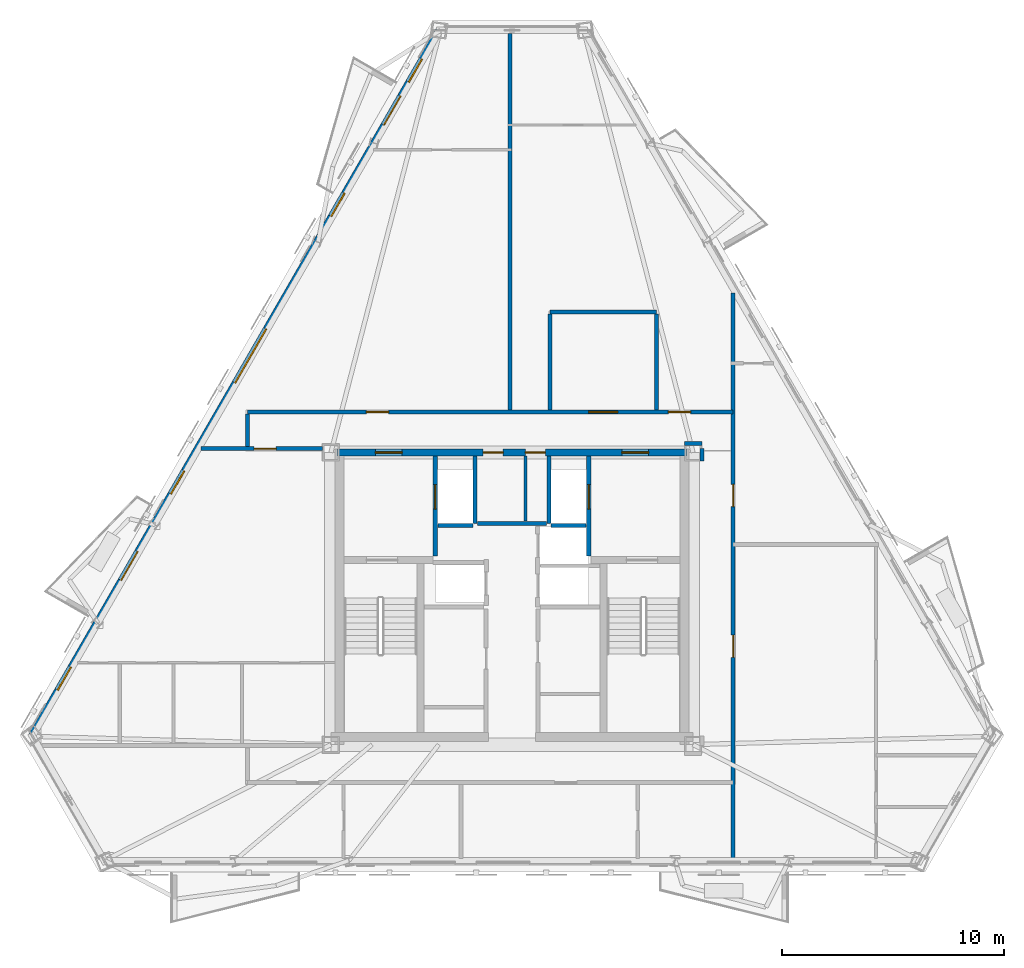
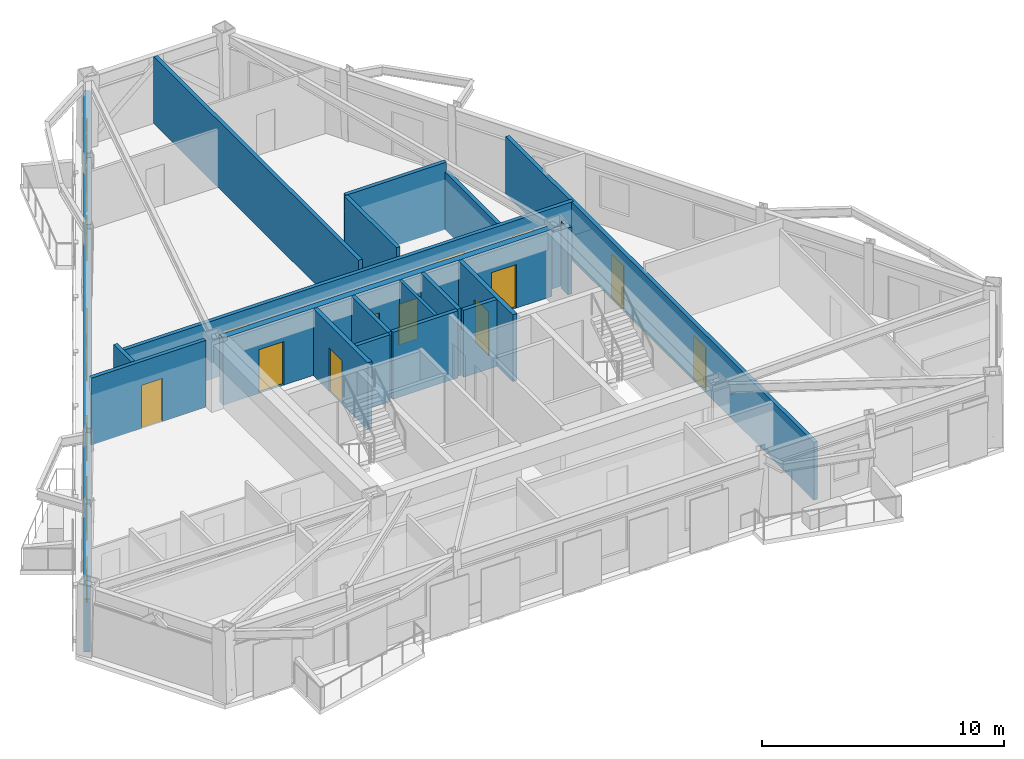
# One storey, part 4 of 9: 20 walls, 14 doors, 5 windows, 19 openings.
"""IFC4 building model written with IfcOpenShell, lengths in metres."""

from ifc_helpers import new_model, si_unit, direction, frame, frame_2d, origin, place, context, subcontext, project, spatial, rectangle, extrude, material, layer, layer_set, type_object, element, fill, save


model = new_model("IFC4")

# Units and contexts
model_context = context("Model", 3, precision=1e-05, world=origin(), true_north=direction((0.0, 1.0)))
body_context = subcontext(model_context, "Body", "Model", "MODEL_VIEW")
ifc_project = project(units=[si_unit("LENGTHUNIT", "METRE"), si_unit("AREAUNIT", "SQUARE_METRE"), si_unit("VOLUMEUNIT", "CUBIC_METRE"), si_unit("PLANEANGLEUNIT", "RADIAN"), si_unit("MASSUNIT", "GRAM", prefix="KILO")], contexts=[model_context])

# Site, building, storey
site_placement = place(None, origin())
site = spatial("IfcSite", under=ifc_project, at=site_placement, CompositionType="ELEMENT")
building_placement = place(site_placement, origin())
building = spatial("IfcBuilding", under=site, at=building_placement, Name="Oramaril Tower", CompositionType="ELEMENT")
storey_placement = place(building_placement, frame((0.0, 0.0, 219.89990234375)))
storey = spatial("IfcBuildingStorey", under=building, at=storey_placement, Name="L58", CompositionType="ELEMENT", Elevation=219.89990234375)

# Wall, openings, doors, windows
ifc_material_1 = material(Name="Warm Cream Limestone", Category="masonry")
ifc_layer_1 = layer(ifc_material_1, 0.2900390625)
ifc_layer_set_1 = layer_set([ifc_layer_1], Name="WT-EXT29")
wall_type_1 = type_object("IfcWallType", Name="WT-EXT29", PredefinedType="SOLIDWALL", material=ifc_layer_set_1)
wall_1_placement = place(storey_placement, frame((34.203369140625, 43.15380859375, 0.0), z_axis=(0.0, 0.0, 1.0), x_axis=(-0.499994551211, -0.866028549621, 0.0)))
wall_1 = element("IfcWall", 1, at=wall_1_placement, inside=storey, type_object=wall_type_1, Name="L58 Tower Limestone Facade Wall 6M", PredefinedType="SOLIDWALL", context=body_context, shape_type="SweptSolid", body=[
    extrude(rectangle(XDim=36.6337890625, YDim=0.2900390625, at=frame_2d((18.31689453125, 0.0))), origin(), (0.0, 0.0, 1.0), 2.677001953125),
])
opening_1_placement = place(wall_1_placement, frame((3.429443359375, 0.0, 0.0)))
opening_1 = element("IfcOpeningElement", 2, at=opening_1_placement, cuts=wall_1, Name="Opening D-L58-BAL-NW1", PredefinedType="OPENING", context=body_context, shape_type="SweptSolid", body=[
    extrude(rectangle(XDim=1.5, YDim=2.199951171875, at=frame_2d((0.75, 1.10009765625))), frame((0.0, 0.14501953125, 0.0), z_axis=(0.0, -1.0, 0.0), x_axis=(1.0, 0.0, 0.0)), (0.0, 0.0, 1.0), 0.2900390625),
])
opening_2_placement = place(wall_1_placement, frame((27.09912109375, 0.0, 0.0)))
opening_2 = element("IfcOpeningElement", 3, at=opening_2_placement, cuts=wall_1, Name="Opening D-L58-BAL-NW2", PredefinedType="OPENING", context=body_context, shape_type="SweptSolid", body=[
    extrude(rectangle(XDim=1.5, YDim=2.199951171875, at=frame_2d((0.75, 1.10009765625))), frame((0.0, 0.14501953125, 0.0), z_axis=(0.0, -1.0, 0.0), x_axis=(1.0, 0.0, 0.0)), (0.0, 0.0, 1.0), 0.2900390625),
])
opening_3_placement = place(wall_1_placement, frame((22.903564453125, 0.0, 0.85009765625)))
opening_3 = element("IfcOpeningElement", 4, at=opening_3_placement, cuts=wall_1, Name="Opening WN-09", PredefinedType="OPENING", context=body_context, shape_type="SweptSolid", body=[
    extrude(rectangle(XDim=1.199951171875, YDim=1.47998046875, at=frame_2d((0.60009765625, 0.739990234375))), frame((0.0, 0.14501953125, 0.0), z_axis=(0.0, -1.0, 0.0), x_axis=(1.0, 0.0, 0.0)), (0.0, 0.0, 1.0), 0.2900390625),
])
opening_4_placement = place(wall_1_placement, frame((33.102294921875, 0.0, 0.85009765625)))
opening_4 = element("IfcOpeningElement", 5, at=opening_4_placement, cuts=wall_1, Name="Opening WN-09", PredefinedType="OPENING", context=body_context, shape_type="SweptSolid", body=[
    extrude(rectangle(XDim=1.199951171875, YDim=1.47998046875, at=frame_2d((0.60009765625, 0.739990234375))), frame((0.0, 0.14501953125, 0.0), z_axis=(0.0, -1.0, 0.0), x_axis=(1.0, 0.0, 0.0)), (0.0, 0.0, 1.0), 0.2900390625),
])
opening_5_placement = place(wall_1_placement, frame((8.474609375, 0.0, 0.85009765625)))
opening_5 = element("IfcOpeningElement", 6, at=opening_5_placement, cuts=wall_1, Name="Opening WN-09", PredefinedType="OPENING", context=body_context, shape_type="SweptSolid", body=[
    extrude(rectangle(XDim=1.199951171875, YDim=1.47998046875, at=frame_2d((0.60009765625, 0.739990234375))), frame((0.0, 0.14501953125, 0.0), z_axis=(0.0, -1.0, 0.0), x_axis=(1.0, 0.0, 0.0)), (0.0, 0.0, 1.0), 0.2900390625),
])
opening_6_placement = place(wall_1_placement, frame((15.529052734375, 0.0, 0.85009765625)))
opening_6 = element("IfcOpeningElement", 7, at=opening_6_placement, cuts=wall_1, Name="Opening WN-01", PredefinedType="OPENING", context=body_context, shape_type="SweptSolid", body=[
    extrude(rectangle(XDim=2.800048828125, YDim=1.717041015625, at=frame_2d((1.39990234375, 0.8583984375))), frame((0.0, 0.14501953125, 0.0), z_axis=(0.0, -1.0, 0.0), x_axis=(1.0, 0.0, 0.0)), (0.0, 0.0, 1.0), 0.2900390625),
])
opening_7_placement = place(wall_1_placement, frame((1.5, 0.0, 0.85009765625)))
opening_7 = element("IfcOpeningElement", 8, at=opening_7_placement, cuts=wall_1, Name="Opening WN-09", PredefinedType="OPENING", context=body_context, shape_type="SweptSolid", body=[
    extrude(rectangle(XDim=1.199951171875, YDim=1.47998046875, at=frame_2d((0.60009765625, 0.739990234375))), frame((0.0, 0.14501953125, 0.0), z_axis=(0.0, -1.0, 0.0), x_axis=(1.0, 0.0, 0.0)), (0.0, 0.0, 1.0), 0.2900390625),
])
ifc_material_2 = material(Name="Anodised Aluminium 6063-T6", Category="aluminium")
door_type_1 = type_object("IfcDoorType", Name="DT-BAL", OperationType="NOTDEFINED", PredefinedType="DOOR", material=ifc_material_2)
door_1_placement = place(opening_1_placement, origin())
door_1 = element("IfcDoor", 9, at=door_1_placement, inside=storey, type_object=door_type_1, Name="L58 Balcony Glazed Door L58-BAL-NW1", OperationType="SINGLE_SWING_LEFT", OverallHeight=2.199951171875, OverallWidth=1.5, PredefinedType="DOOR", context=body_context, shape_type="SweptSolid", body=[
    extrude(rectangle(XDim=1.5, YDim=2.199951171875, at=frame_2d((0.75, 1.10009765625))), frame((0.0, 0.02490234375, 0.0), z_axis=(0.0, -1.0, 0.0), x_axis=(1.0, 0.0, 0.0)), (0.0, 0.0, 1.0), 0.050048828125),
])
fill(opening_1, door_1)
door_2_placement = place(opening_2_placement, origin())
door_2 = element("IfcDoor", 10, at=door_2_placement, inside=storey, type_object=door_type_1, Name="L58 Balcony Glazed Door L58-BAL-NW2", OperationType="SINGLE_SWING_RIGHT", OverallHeight=2.199951171875, OverallWidth=1.5, PredefinedType="DOOR", context=body_context, shape_type="SweptSolid", body=[
    extrude(rectangle(XDim=1.5, YDim=2.199951171875, at=frame_2d((0.75, 1.10009765625))), frame((0.0, 0.02490234375, 0.0), z_axis=(0.0, -1.0, 0.0), x_axis=(1.0, 0.0, 0.0)), (0.0, 0.0, 1.0), 0.050048828125),
])
fill(opening_2, door_2)
ifc_material_3 = material(Name="Coastal Low-E Insulated Glass", Category="glass")
window_type_1 = type_object("IfcWindowType", Name="WNT-01", PartitioningType="SINGLE_PANEL", PredefinedType="WINDOW", material=ifc_material_3)
window_1_placement = place(opening_6_placement, origin())
window_1 = element("IfcWindow", 11, at=window_1_placement, inside=storey, type_object=window_type_1, Name="L58 Chicago Bay Window WN-01", OverallHeight=1.717041015625, OverallWidth=2.800048828125, PartitioningType="SINGLE_PANEL", PredefinedType="WINDOW", context=body_context, shape_type="SweptSolid", body=[
    extrude(rectangle(XDim=2.800048828125, YDim=1.717041015625, at=frame_2d((1.39990234375, 0.8583984375))), frame((0.0, 0.030029296875, 0.0), z_axis=(0.0, -1.0, 0.0), x_axis=(1.0, 0.0, 0.0)), (0.0, 0.0, 1.0), 0.06005859375),
])
fill(opening_6, window_1)
ifc_material_4 = material(Name="Coastal Low-E Insulated Glass", Category="glass")
window_type_2 = type_object("IfcWindowType", Name="WNT-09", PartitioningType="SINGLE_PANEL", PredefinedType="WINDOW", material=ifc_material_4)
window_2_placement = place(opening_3_placement, origin())
window_2 = element("IfcWindow", 12, at=window_2_placement, inside=storey, type_object=window_type_2, Name="L58 Chicago Bay Window WN-09", OverallHeight=1.47998046875, OverallWidth=1.199951171875, PartitioningType="SINGLE_PANEL", PredefinedType="WINDOW", context=body_context, shape_type="SweptSolid", body=[
    extrude(rectangle(XDim=1.199951171875, YDim=1.47998046875, at=frame_2d((0.60009765625, 0.739990234375))), frame((0.0, 0.030029296875, 0.0), z_axis=(0.0, -1.0, 0.0), x_axis=(1.0, 0.0, 0.0)), (0.0, 0.0, 1.0), 0.06005859375),
])
fill(opening_3, window_2)
window_3_placement = place(opening_4_placement, origin())
window_3 = element("IfcWindow", 13, at=window_3_placement, inside=storey, type_object=window_type_2, Name="L58 Chicago Bay Window WN-09", OverallHeight=1.47998046875, OverallWidth=1.199951171875, PartitioningType="SINGLE_PANEL", PredefinedType="WINDOW", context=body_context, shape_type="SweptSolid", body=[
    extrude(rectangle(XDim=1.199951171875, YDim=1.47998046875, at=frame_2d((0.60009765625, 0.739990234375))), frame((0.0, 0.030029296875, 0.0), z_axis=(0.0, -1.0, 0.0), x_axis=(1.0, 0.0, 0.0)), (0.0, 0.0, 1.0), 0.06005859375),
])
fill(opening_4, window_3)
window_4_placement = place(opening_5_placement, origin())
window_4 = element("IfcWindow", 14, at=window_4_placement, inside=storey, type_object=window_type_2, Name="L58 Chicago Bay Window WN-09", OverallHeight=1.47998046875, OverallWidth=1.199951171875, PartitioningType="SINGLE_PANEL", PredefinedType="WINDOW", context=body_context, shape_type="SweptSolid", body=[
    extrude(rectangle(XDim=1.199951171875, YDim=1.47998046875, at=frame_2d((0.60009765625, 0.739990234375))), frame((0.0, 0.030029296875, 0.0), z_axis=(0.0, -1.0, 0.0), x_axis=(1.0, 0.0, 0.0)), (0.0, 0.0, 1.0), 0.06005859375),
])
fill(opening_5, window_4)
window_5_placement = place(opening_7_placement, origin())
window_5 = element("IfcWindow", 15, at=window_5_placement, inside=storey, type_object=window_type_2, Name="L58 Chicago Bay Window WN-09", OverallHeight=1.47998046875, OverallWidth=1.199951171875, PartitioningType="SINGLE_PANEL", PredefinedType="WINDOW", context=body_context, shape_type="SweptSolid", body=[
    extrude(rectangle(XDim=1.199951171875, YDim=1.47998046875, at=frame_2d((0.60009765625, 0.739990234375))), frame((0.0, 0.030029296875, 0.0), z_axis=(0.0, -1.0, 0.0), x_axis=(1.0, 0.0, 0.0)), (0.0, 0.0, 1.0), 0.06005859375),
])
fill(opening_7, window_5)

# Walls
ifc_material_5 = material(Name="Acoustic Gypsum Board Partition")
ifc_layer_2 = layer(ifc_material_5, 0.139892578125)
ifc_layer_set_2 = layer_set([ifc_layer_2], Name="WT-PT14")
wall_type_2 = type_object("IfcWallType", Name="WT-PT14", PredefinedType="PARTITIONING", material=ifc_layer_set_2)
wall_2_placement = place(storey_placement, frame((38.110107421875, 21.06005859375, 0.0), z_axis=(0.0, 0.0, 1.0), x_axis=(0.0, 1.0, 0.0)))
element("IfcWall", 16, at=wall_2_placement, inside=storey, type_object=wall_type_2, Name="L58 Core Service Divider", PredefinedType="PARTITIONING", context=body_context, shape_type="SweptSolid", body=[
    extrude(rectangle(XDim=2.919921875, YDim=0.139892578125, at=frame_2d((1.4599609375, 0.0))), origin(), (0.0, 0.0, 1.0), 3.380126953125),
])
ifc_material_6 = material(Name="Autoclaved Cellular Concrete Block", Category="concrete")
ifc_layer_3 = layer(ifc_material_6, 0.179931640625)
ifc_layer_set_3 = layer_set([ifc_layer_3], Name="WT-PT18")
wall_type_3 = type_object("IfcWallType", Name="WT-PT18", PredefinedType="PARTITIONING", material=ifc_layer_set_3)
wall_3_placement = place(storey_placement, frame((35.840087890625, 20.9599609375, 0.0), z_axis=(0.0, 0.0, 1.0), x_axis=(0.0, 1.0, 0.0)))
element("IfcWall", 17, at=wall_3_placement, inside=storey, type_object=wall_type_3, Name="L58 FL-1 East Shaft Wall", PredefinedType="PARTITIONING", context=body_context, shape_type="SweptSolid", body=[
    extrude(rectangle(XDim=3.02001953125, YDim=0.179931640625, at=frame_2d((1.510009765625, 0.0))), origin(), (0.0, 0.0, 1.0), 3.380126953125),
])
wall_4_placement = place(storey_placement, frame((34.159912109375, 20.860107421875, 0.0), z_axis=(0.0, 0.0, 1.0), x_axis=(1.0, 0.0, 0.0)))
element("IfcWall", 18, at=wall_4_placement, inside=storey, type_object=wall_type_3, Name="L58 FL-1 South Shaft Wall", PredefinedType="PARTITIONING", context=body_context, shape_type="SweptSolid", body=[
    extrude(rectangle(XDim=1.580078125, YDim=0.179931640625, at=frame_2d((0.7900390625, 0.0))), origin(), (0.0, 0.0, 1.0), 3.380126953125),
])
wall_5_placement = place(storey_placement, frame((39.159912109375, 20.9599609375, 0.0), z_axis=(0.0, 0.0, 1.0), x_axis=(0.0, 1.0, 0.0)))
element("IfcWall", 19, at=wall_5_placement, inside=storey, type_object=wall_type_3, Name="L58 FL-2 West Shaft Wall", PredefinedType="PARTITIONING", context=body_context, shape_type="SweptSolid", body=[
    extrude(rectangle(XDim=3.02001953125, YDim=0.179931640625, at=frame_2d((1.510009765625, 0.0))), origin(), (0.0, 0.0, 1.0), 3.380126953125),
])
wall_6_placement = place(storey_placement, frame((39.260009765625, 20.860107421875, 0.0), z_axis=(0.0, 0.0, 1.0), x_axis=(1.0, 0.0, 0.0)))
element("IfcWall", 20, at=wall_6_placement, inside=storey, type_object=wall_type_3, Name="L58 FL-2 South Shaft Wall", PredefinedType="PARTITIONING", context=body_context, shape_type="SweptSolid", body=[
    extrude(rectangle(XDim=1.580078125, YDim=0.179931640625, at=frame_2d((0.7900390625, 0.0))), origin(), (0.0, 0.0, 1.0), 3.380126953125),
])
wall_7_placement = place(storey_placement, frame((35.949951171875, 20.949951171875, 0.0), z_axis=(0.0, 0.0, 1.0), x_axis=(1.0, 0.0, 0.0)))
element("IfcWall", 21, at=wall_7_placement, inside=storey, type_object=wall_type_3, Name="L58 Lift Lobby North Partition", PredefinedType="PARTITIONING", context=body_context, shape_type="SweptSolid", body=[
    extrude(rectangle(XDim=3.10009765625, YDim=0.179931640625, at=frame_2d((1.550048828125, 0.0))), origin(), (0.0, 0.0, 1.0), 3.380126953125),
])

# Wall, opening, door
wall_8_placement = place(storey_placement, frame((23.501708984375, 24.320068359375, 0.0), z_axis=(0.0, 0.0, 1.0), x_axis=(1.0, 0.0, 0.0)))
wall_8 = element("IfcWall", 22, at=wall_8_placement, inside=storey, type_object=wall_type_3, Name="L58 Interior Partition PT-18", PredefinedType="PARTITIONING", context=body_context, shape_type="SweptSolid", body=[
    extrude(rectangle(XDim=5.458251953125, YDim=0.179931640625, at=frame_2d((2.72900390625, 0.0))), origin(), (0.0, 0.0, 1.0), 3.380126953125),
])
opening_8_placement = place(wall_8_placement, frame((2.386474609375, 0.0, 0.0)))
opening_8 = element("IfcOpeningElement", 23, at=opening_8_placement, cuts=wall_8, Name="Opening D-L58-07", PredefinedType="OPENING", context=body_context, shape_type="SweptSolid", body=[
    extrude(rectangle(XDim=1.0, YDim=2.179931640625, at=frame_2d((0.5, 1.08984375))), frame((0.0, 0.08984375, 0.0), z_axis=(0.0, -1.0, 0.0), x_axis=(1.0, 0.0, 0.0)), (0.0, 0.0, 1.0), 0.179931640625),
])
ifc_material_7 = material(Name="FSC Brazilian Freijo Hardwood", Category="wood")
door_type_2 = type_object("IfcDoorType", Name="DT-APT", OperationType="NOTDEFINED", PredefinedType="DOOR", material=ifc_material_7)
door_3_placement = place(opening_8_placement, origin())
door_3 = element("IfcDoor", 24, at=door_3_placement, inside=storey, type_object=door_type_2, Name="L58 Flat L58-U3 Penthouse Living and Dining Room Door D-L58-07", OperationType="SINGLE_SWING_LEFT", OverallHeight=2.179931640625, OverallWidth=1.0, PredefinedType="DOOR", context=body_context, shape_type="SweptSolid", body=[
    extrude(rectangle(XDim=1.0, YDim=2.179931640625, at=frame_2d((0.5, 1.08984375))), frame((0.0, 0.02490234375, 0.0), z_axis=(0.0, -1.0, 0.0), x_axis=(1.0, 0.0, 0.0)), (0.0, 0.0, 1.0), 0.050048828125),
])
fill(opening_8, door_3)

# Wall
wall_9_placement = place(storey_placement, frame((45.2548828125, 24.550048828125, 0.0), z_axis=(0.0, 0.0, 1.0), x_axis=(1.0, 0.0, 0.0)))
element("IfcWall", 25, at=wall_9_placement, inside=storey, type_object=wall_type_3, Name="L58 Interior Partition PT-18", PredefinedType="PARTITIONING", context=body_context, shape_type="SweptSolid", body=[
    extrude(rectangle(XDim=0.7900390625, YDim=0.179931640625, at=frame_2d((0.39501953125, 0.0))), origin(), (0.0, 0.0, 1.0), 2.9130859375),
])

# Wall, openings, doors
wall_10_placement = place(storey_placement, frame((25.60009765625, 25.969970703125, 0.0), z_axis=(0.0, 0.0, 1.0), x_axis=(1.0, 0.0, 0.0)))
wall_10 = element("IfcWall", 26, at=wall_10_placement, inside=storey, type_object=wall_type_3, Name="L58 Interior Partition PT-18", PredefinedType="PARTITIONING", context=body_context, shape_type="SweptSolid", body=[
    extrude(rectangle(XDim=21.849853515625, YDim=0.179931640625, at=frame_2d((10.9248046875, 0.0))), origin(), (0.0, 0.0, 1.0), 2.9130859375),
])
opening_9_placement = place(wall_10_placement, frame((5.3466796875, 0.0, 0.0)))
opening_9 = element("IfcOpeningElement", 27, at=opening_9_placement, cuts=wall_10, Name="Opening D-L58-08", PredefinedType="OPENING", context=body_context, shape_type="SweptSolid", body=[
    extrude(rectangle(XDim=1.0, YDim=2.179931640625, at=frame_2d((0.5, 1.08984375))), frame((0.0, 0.08984375, 0.0), z_axis=(0.0, -1.0, 0.0), x_axis=(1.0, 0.0, 0.0)), (0.0, 0.0, 1.0), 0.179931640625),
])
opening_10_placement = place(wall_10_placement, frame((15.35009765625, 0.0, 0.0)))
opening_10 = element("IfcOpeningElement", 28, at=opening_10_placement, cuts=wall_10, Name="Opening D-L58-09", PredefinedType="OPENING", context=body_context, shape_type="SweptSolid", body=[
    extrude(rectangle(XDim=1.300048828125, YDim=2.199951171875, at=frame_2d((0.64990234375, 1.10009765625))), frame((0.0, 0.08984375, 0.0), z_axis=(0.0, -1.0, 0.0), x_axis=(1.0, 0.0, 0.0)), (0.0, 0.0, 1.0), 0.179931640625),
])
opening_11_placement = place(wall_10_placement, frame((18.9404296875, 0.0, 0.0)))
opening_11 = element("IfcOpeningElement", 29, at=opening_11_placement, cuts=wall_10, Name="Opening D-L58-10", PredefinedType="OPENING", context=body_context, shape_type="SweptSolid", body=[
    extrude(rectangle(XDim=1.0, YDim=2.179931640625, at=frame_2d((0.5, 1.08984375))), frame((0.0, 0.08984375, 0.0), z_axis=(0.0, -1.0, 0.0), x_axis=(1.0, 0.0, 0.0)), (0.0, 0.0, 1.0), 0.179931640625),
])
door_4_placement = place(opening_9_placement, origin())
door_4 = element("IfcDoor", 30, at=door_4_placement, inside=storey, type_object=door_type_2, Name="L58 Flat L58-U6 Kitchen and Studio Apartment Door D-L58-08", OperationType="SINGLE_SWING_RIGHT", OverallHeight=2.179931640625, OverallWidth=1.0, PredefinedType="DOOR", context=body_context, shape_type="SweptSolid", body=[
    extrude(rectangle(XDim=1.0, YDim=2.179931640625, at=frame_2d((0.5, 1.08984375))), frame((0.0, 0.02490234375, 0.0), z_axis=(0.0, -1.0, 0.0), x_axis=(1.0, 0.0, 0.0)), (0.0, 0.0, 1.0), 0.050048828125),
])
fill(opening_9, door_4)
door_5_placement = place(opening_11_placement, origin())
door_5 = element("IfcDoor", 31, at=door_5_placement, inside=storey, type_object=door_type_2, Name="L58 Flat L58-U7 Kitchen and Studio Apartment Door D-L58-10", OperationType="SINGLE_SWING_RIGHT", OverallHeight=2.179931640625, OverallWidth=1.0, PredefinedType="DOOR", context=body_context, shape_type="SweptSolid", body=[
    extrude(rectangle(XDim=1.0, YDim=2.179931640625, at=frame_2d((0.5, 1.08984375))), frame((0.0, 0.02490234375, 0.0), z_axis=(0.0, -1.0, 0.0), x_axis=(1.0, 0.0, 0.0)), (0.0, 0.0, 1.0), 0.050048828125),
])
fill(opening_11, door_5)
ifc_material_8 = material(Name="FSC Brazilian Freijo Hardwood", Category="wood")
door_type_3 = type_object("IfcDoorType", Name="DT-COM", OperationType="NOTDEFINED", PredefinedType="DOOR", material=ifc_material_8)
door_6_placement = place(opening_10_placement, origin())
door_6 = element("IfcDoor", 32, at=door_6_placement, inside=storey, type_object=door_type_3, Name="L58 L58 Residents Floor Meeting Suite Door D-L58-09", OperationType="SINGLE_SWING_LEFT", OverallHeight=2.199951171875, OverallWidth=1.300048828125, PredefinedType="DOOR", context=body_context, shape_type="SweptSolid", body=[
    extrude(rectangle(XDim=1.300048828125, YDim=2.199951171875, at=frame_2d((0.64990234375, 1.10009765625))), frame((0.0, 0.02490234375, 0.0), z_axis=(0.0, -1.0, 0.0), x_axis=(1.0, 0.0, 0.0)), (0.0, 0.0, 1.0), 0.050048828125),
])
fill(opening_10, door_6)

# Walls
wall_11_placement = place(storey_placement, frame((39.199951171875, 30.469970703125, 0.0), z_axis=(0.0, 0.0, 1.0), x_axis=(1.0, 0.0, 0.0)))
element("IfcWall", 33, at=wall_11_placement, inside=storey, type_object=wall_type_3, Name="L58 Interior Partition PT-18", PredefinedType="PARTITIONING", context=body_context, shape_type="SweptSolid", body=[
    extrude(rectangle(XDim=4.800048828125, YDim=0.179931640625, at=frame_2d((2.39990234375, 0.0))), origin(), (0.0, 0.0, 1.0), 3.380126953125),
])
wall_12_placement = place(storey_placement, frame((25.60009765625, 24.4140625, 0.0), z_axis=(0.0, 0.0, 1.0), x_axis=(0.0, 1.0, 0.0)))
element("IfcWall", 34, at=wall_12_placement, inside=storey, type_object=wall_type_3, Name="L58 Interior Partition PT-18", PredefinedType="PARTITIONING", context=body_context, shape_type="SweptSolid", body=[
    extrude(rectangle(XDim=1.4619140625, YDim=0.179931640625, at=frame_2d((0.73095703125, 0.0))), origin(), (0.0, 0.0, 1.0), 3.380126953125),
])
wall_13_placement = place(storey_placement, frame((37.39990234375, 26.06396484375, 0.0), z_axis=(0.0, 0.0, 1.0), x_axis=(0.0, 1.0, 0.0)))
element("IfcWall", 35, at=wall_13_placement, inside=storey, type_object=wall_type_3, Name="L58 Interior Partition PT-18", PredefinedType="PARTITIONING", context=body_context, shape_type="SweptSolid", body=[
    extrude(rectangle(XDim=16.94091796875, YDim=0.179931640625, at=frame_2d((8.470458984375, 0.0))), origin(), (0.0, 0.0, 1.0), 3.380126953125),
])
wall_14_placement = place(storey_placement, frame((39.199951171875, 26.06396484375, 0.0), z_axis=(0.0, 0.0, 1.0), x_axis=(0.0, 1.0, 0.0)))
element("IfcWall", 36, at=wall_14_placement, inside=storey, type_object=wall_type_3, Name="L58 Interior Partition PT-18", PredefinedType="PARTITIONING", context=body_context, shape_type="SweptSolid", body=[
    extrude(rectangle(XDim=4.31201171875, YDim=0.179931640625, at=frame_2d((2.156005859375, 0.0))), origin(), (0.0, 0.0, 1.0), 3.380126953125),
])
wall_15_placement = place(storey_placement, frame((44.0, 26.06396484375, 0.0), z_axis=(0.0, 0.0, 1.0), x_axis=(0.0, 1.0, 0.0)))
element("IfcWall", 37, at=wall_15_placement, inside=storey, type_object=wall_type_3, Name="L58 Interior Partition PT-18", PredefinedType="PARTITIONING", context=body_context, shape_type="SweptSolid", body=[
    extrude(rectangle(XDim=4.31201171875, YDim=0.179931640625, at=frame_2d((2.156005859375, 0.0))), origin(), (0.0, 0.0, 1.0), 2.9130859375),
])
wall_16_placement = place(storey_placement, frame((46.050048828125, 23.7548828125, 0.0), z_axis=(0.0, 0.0, 1.0), x_axis=(0.0, 1.0, 0.0)))
element("IfcWall", 38, at=wall_16_placement, inside=storey, type_object=wall_type_3, Name="L58 Interior Partition PT-18", PredefinedType="PARTITIONING", context=body_context, shape_type="SweptSolid", body=[
    extrude(rectangle(XDim=0.565185546875, YDim=0.179931640625, at=frame_2d((0.28271484375, 0.0))), origin(), (0.0, 0.0, 1.0), 3.380126953125),
])

# Wall, openings, doors
wall_17_placement = place(storey_placement, frame((47.449951171875, 5.8671875, 0.0), z_axis=(0.0, 0.0, 1.0), x_axis=(0.0, 1.0, 0.0)))
wall_17 = element("IfcWall", 39, at=wall_17_placement, inside=storey, type_object=wall_type_3, Name="L58 Interior Partition PT-18", PredefinedType="PARTITIONING", context=body_context, shape_type="SweptSolid", body=[
    extrude(rectangle(XDim=25.464599609375, YDim=0.179931640625, at=frame_2d((12.732421875, 0.0))), origin(), (0.0, 0.0, 1.0), 2.9130859375),
])
opening_12_placement = place(wall_17_placement, frame((9.05517578125, 0.0, 0.0)))
opening_12 = element("IfcOpeningElement", 40, at=opening_12_placement, cuts=wall_17, Name="Opening D-L58-16", PredefinedType="OPENING", context=body_context, shape_type="SweptSolid", body=[
    extrude(rectangle(XDim=1.0, YDim=2.179931640625, at=frame_2d((0.5, 1.08984375))), frame((0.0, 0.08984375, 0.0), z_axis=(0.0, -1.0, 0.0), x_axis=(1.0, 0.0, 0.0)), (0.0, 0.0, 1.0), 0.179931640625),
])
opening_13_placement = place(wall_17_placement, frame((15.84521484375, 0.0, 0.0)))
opening_13 = element("IfcOpeningElement", 41, at=opening_13_placement, cuts=wall_17, Name="Opening D-L58-17", PredefinedType="OPENING", context=body_context, shape_type="SweptSolid", body=[
    extrude(rectangle(XDim=1.0, YDim=2.179931640625, at=frame_2d((0.5, 1.08984375))), frame((0.0, 0.08984375, 0.0), z_axis=(0.0, -1.0, 0.0), x_axis=(1.0, 0.0, 0.0)), (0.0, 0.0, 1.0), 0.179931640625),
])
door_7_placement = place(opening_12_placement, origin())
door_7 = element("IfcDoor", 42, at=door_7_placement, inside=storey, type_object=door_type_2, Name="L58 Flat L58-U4 Penthouse Living and Dining Room Door D-L58-16", OperationType="SINGLE_SWING_RIGHT", OverallHeight=2.179931640625, OverallWidth=1.0, PredefinedType="DOOR", context=body_context, shape_type="SweptSolid", body=[
    extrude(rectangle(XDim=1.0, YDim=2.179931640625, at=frame_2d((0.5, 1.08984375))), frame((0.0, 0.02490234375, 0.0), z_axis=(0.0, -1.0, 0.0), x_axis=(1.0, 0.0, 0.0)), (0.0, 0.0, 1.0), 0.050048828125),
])
fill(opening_12, door_7)
door_8_placement = place(opening_13_placement, origin())
door_8 = element("IfcDoor", 43, at=door_8_placement, inside=storey, type_object=door_type_2, Name="L58 Flat L58-U5 Kitchen and Studio Apartment Door D-L58-17", OperationType="SINGLE_SWING_LEFT", OverallHeight=2.179931640625, OverallWidth=1.0, PredefinedType="DOOR", context=body_context, shape_type="SweptSolid", body=[
    extrude(rectangle(XDim=1.0, YDim=2.179931640625, at=frame_2d((0.5, 1.08984375))), frame((0.0, 0.02490234375, 0.0), z_axis=(0.0, -1.0, 0.0), x_axis=(1.0, 0.0, 0.0)), (0.0, 0.0, 1.0), 0.050048828125),
])
fill(opening_13, door_8)

ifc_material_9 = material(Name="Concrete C50/60", Category="concrete")
ifc_layer_4 = layer(ifc_material_9, 0.300048828125)
ifc_layer_set_4 = layer_set([ifc_layer_4], Name="WT-SH30")
wall_type_4 = type_object("IfcWallType", Name="WT-SH30", PredefinedType="SHEAR", material=ifc_layer_set_4)
wall_18_placement = place(storey_placement, frame((29.64990234375, 24.14990234375, 0.0), z_axis=(0.0, 0.0, 1.0), x_axis=(1.0, 0.0, 0.0)))
wall_18 = element("IfcWall", 44, at=wall_18_placement, inside=storey, type_object=wall_type_4, Name="L58 Core Shear Wall CW-N", PredefinedType="SHEAR", context=body_context, shape_type="SweptSolid", body=[
    extrude(rectangle(XDim=15.7001953125, YDim=0.300048828125, at=frame_2d((7.85009765625, 0.0))), origin(), (0.0, 0.0, 1.0), 3.380126953125),
])
opening_14_placement = place(wall_18_placement, frame((1.699951171875, 0.0, 0.0)))
opening_14 = element("IfcOpeningElement", 45, at=opening_14_placement, cuts=wall_18, Name="Opening D-L58-FFL1", PredefinedType="OPENING", context=body_context, shape_type="SweptSolid", body=[
    extrude(rectangle(XDim=1.199951171875, YDim=2.199951171875, at=frame_2d((0.60009765625, 1.10009765625))), frame((0.0, 0.14990234375, 0.0), z_axis=(0.0, -1.0, 0.0), x_axis=(1.0, 0.0, 0.0)), (0.0, 0.0, 1.0), 0.300048828125),
])
opening_15_placement = place(wall_18_placement, frame((12.800048828125, 0.0, 0.0)))
opening_15 = element("IfcOpeningElement", 46, at=opening_15_placement, cuts=wall_18, Name="Opening D-L58-FFL2", PredefinedType="OPENING", context=body_context, shape_type="SweptSolid", body=[
    extrude(rectangle(XDim=1.199951171875, YDim=2.199951171875, at=frame_2d((0.60009765625, 1.10009765625))), frame((0.0, 0.14990234375, 0.0), z_axis=(0.0, -1.0, 0.0), x_axis=(1.0, 0.0, 0.0)), (0.0, 0.0, 1.0), 0.300048828125),
])
opening_16_placement = place(wall_18_placement, frame((6.550048828125, 0.0, 0.0)))
opening_16 = element("IfcOpeningElement", 47, at=opening_16_placement, cuts=wall_18, Name="Opening D-L58-SV1", PredefinedType="OPENING", context=body_context, shape_type="SweptSolid", body=[
    extrude(rectangle(XDim=0.89990234375, YDim=2.050048828125, at=frame_2d((0.449951171875, 1.02490234375))), frame((0.0, 0.14990234375, 0.0), z_axis=(0.0, -1.0, 0.0), x_axis=(1.0, 0.0, 0.0)), (0.0, 0.0, 1.0), 0.300048828125),
])
opening_17_placement = place(wall_18_placement, frame((8.449951171875, 0.0, 0.0)))
opening_17 = element("IfcOpeningElement", 48, at=opening_17_placement, cuts=wall_18, Name="Opening D-L58-SV2", PredefinedType="OPENING", context=body_context, shape_type="SweptSolid", body=[
    extrude(rectangle(XDim=0.89990234375, YDim=2.050048828125, at=frame_2d((0.449951171875, 1.02490234375))), frame((0.0, 0.14990234375, 0.0), z_axis=(0.0, -1.0, 0.0), x_axis=(1.0, 0.0, 0.0)), (0.0, 0.0, 1.0), 0.300048828125),
])
ifc_material_10 = material(Name="Painted Galvanised Steel", Category="steel")
door_type_4 = type_object("IfcDoorType", Name="DT-FFL", OperationType="NOTDEFINED", PredefinedType="DOOR", material=ifc_material_10)
door_9_placement = place(opening_14_placement, origin())
door_9 = element("IfcDoor", 49, at=door_9_placement, inside=storey, type_object=door_type_4, Name="L58 Firefighting Lobby 1 Fire Door", OperationType="SINGLE_SWING_LEFT", OverallHeight=2.199951171875, OverallWidth=1.199951171875, PredefinedType="DOOR", context=body_context, shape_type="SweptSolid", body=[
    extrude(rectangle(XDim=1.199951171875, YDim=2.199951171875, at=frame_2d((0.60009765625, 1.10009765625))), frame((0.0, 0.02490234375, 0.0), z_axis=(0.0, -1.0, 0.0), x_axis=(1.0, 0.0, 0.0)), (0.0, 0.0, 1.0), 0.050048828125),
])
fill(opening_14, door_9)
door_10_placement = place(opening_15_placement, origin())
door_10 = element("IfcDoor", 50, at=door_10_placement, inside=storey, type_object=door_type_4, Name="L58 Firefighting Lobby 2 Fire Door", OperationType="SINGLE_SWING_RIGHT", OverallHeight=2.199951171875, OverallWidth=1.199951171875, PredefinedType="DOOR", context=body_context, shape_type="SweptSolid", body=[
    extrude(rectangle(XDim=1.199951171875, YDim=2.199951171875, at=frame_2d((0.60009765625, 1.10009765625))), frame((0.0, 0.02490234375, 0.0), z_axis=(0.0, -1.0, 0.0), x_axis=(1.0, 0.0, 0.0)), (0.0, 0.0, 1.0), 0.050048828125),
])
fill(opening_15, door_10)
ifc_material_11 = material(Name="Painted Galvanised Steel", Category="steel")
door_type_5 = type_object("IfcDoorType", Name="DT-SVC", OperationType="NOTDEFINED", PredefinedType="DOOR", material=ifc_material_11)
door_11_placement = place(opening_16_placement, origin())
door_11 = element("IfcDoor", 51, at=door_11_placement, inside=storey, type_object=door_type_5, Name="L58 Core Service Store 1 Door", OperationType="SINGLE_SWING_LEFT", OverallHeight=2.050048828125, OverallWidth=0.89990234375, PredefinedType="DOOR", context=body_context, shape_type="SweptSolid", body=[
    extrude(rectangle(XDim=0.89990234375, YDim=2.050048828125, at=frame_2d((0.449951171875, 1.02490234375))), frame((0.0, 0.02490234375, 0.0), z_axis=(0.0, -1.0, 0.0), x_axis=(1.0, 0.0, 0.0)), (0.0, 0.0, 1.0), 0.050048828125),
])
fill(opening_16, door_11)
door_12_placement = place(opening_17_placement, origin())
door_12 = element("IfcDoor", 52, at=door_12_placement, inside=storey, type_object=door_type_5, Name="L58 Core Service Store 2 Door", OperationType="SINGLE_SWING_RIGHT", OverallHeight=2.050048828125, OverallWidth=0.89990234375, PredefinedType="DOOR", context=body_context, shape_type="SweptSolid", body=[
    extrude(rectangle(XDim=0.89990234375, YDim=2.050048828125, at=frame_2d((0.449951171875, 1.02490234375))), frame((0.0, 0.02490234375, 0.0), z_axis=(0.0, -1.0, 0.0), x_axis=(1.0, 0.0, 0.0)), (0.0, 0.0, 1.0), 0.050048828125),
])
fill(opening_17, door_12)

# Wall, opening, door
ifc_material_12 = material(Name="Autoclaved Cellular Concrete Block", Category="concrete")
ifc_layer_5 = layer(ifc_material_12, 0.199951171875)
ifc_layer_set_5 = layer_set([ifc_layer_5], Name="WT-SHF20")
wall_type_5 = type_object("IfcWallType", Name="WT-SHF20", PredefinedType="PARTITIONING", material=ifc_layer_set_5)
wall_19_placement = place(storey_placement, frame((34.0400390625, 19.47998046875, 0.0), z_axis=(0.0, 0.0, 1.0), x_axis=(0.0, 1.0, 0.0)))
wall_19 = element("IfcWall", 53, at=wall_19_placement, inside=storey, type_object=wall_type_5, Name="L58 FL-1 Lobby Shaft Wall", PredefinedType="PARTITIONING", context=body_context, shape_type="SweptSolid", body=[
    extrude(rectangle(XDim=4.5, YDim=0.199951171875, at=frame_2d((2.25, 0.0))), origin(), (0.0, 0.0, 1.0), 3.380126953125),
])
opening_18_placement = place(wall_19_placement, frame((2.1201171875, 0.0, 0.0)))
opening_18 = element("IfcOpeningElement", 54, at=opening_18_placement, cuts=wall_19, Name="Opening LD-L58-FL-1", PredefinedType="OPENING", context=body_context, shape_type="SweptSolid", body=[
    extrude(rectangle(XDim=1.10009765625, YDim=2.199951171875, at=frame_2d((0.550048828125, 1.10009765625))), frame((0.0, 0.10009765625, 0.0), z_axis=(0.0, -1.0, 0.0), x_axis=(1.0, 0.0, 0.0)), (0.0, 0.0, 1.0), 0.199951171875),
])
ifc_material_13 = material(Name="Stainless Steel 316L", Category="steel")
door_type_6 = type_object("IfcDoorType", Name="DT-LD1", OperationType="NOTDEFINED", PredefinedType="DOOR", material=ifc_material_13)
door_13_placement = place(opening_18_placement, origin())
door_13 = element("IfcDoor", 55, at=door_13_placement, inside=storey, type_object=door_type_6, Name="L58 Lift FL-1 Sliding Landing Door", OperationType="SLIDING_TO_LEFT", OverallHeight=2.199951171875, OverallWidth=1.10009765625, PredefinedType="DOOR", context=body_context, shape_type="SweptSolid", body=[
    extrude(rectangle(XDim=1.10009765625, YDim=2.199951171875, at=frame_2d((0.550048828125, 1.10009765625))), frame((0.0, 0.02490234375, 0.0), z_axis=(0.0, -1.0, 0.0), x_axis=(1.0, 0.0, 0.0)), (0.0, 0.0, 1.0), 0.050048828125),
])
fill(opening_18, door_13)

wall_20_placement = place(storey_placement, frame((40.9599609375, 19.47998046875, 0.0), z_axis=(0.0, 0.0, 1.0), x_axis=(0.0, 1.0, 0.0)))
wall_20 = element("IfcWall", 56, at=wall_20_placement, inside=storey, type_object=wall_type_5, Name="L58 FL-2 Lobby Shaft Wall", PredefinedType="PARTITIONING", context=body_context, shape_type="SweptSolid", body=[
    extrude(rectangle(XDim=4.5, YDim=0.199951171875, at=frame_2d((2.25, 0.0))), origin(), (0.0, 0.0, 1.0), 3.380126953125),
])
opening_19_placement = place(wall_20_placement, frame((2.1201171875, 0.0, 0.0)))
opening_19 = element("IfcOpeningElement", 57, at=opening_19_placement, cuts=wall_20, Name="Opening LD-L58-FL-2", PredefinedType="OPENING", context=body_context, shape_type="SweptSolid", body=[
    extrude(rectangle(XDim=1.10009765625, YDim=2.199951171875, at=frame_2d((0.550048828125, 1.10009765625))), frame((0.0, 0.10009765625, 0.0), z_axis=(0.0, -1.0, 0.0), x_axis=(1.0, 0.0, 0.0)), (0.0, 0.0, 1.0), 0.199951171875),
])
door_14_placement = place(opening_19_placement, origin())
door_14 = element("IfcDoor", 58, at=door_14_placement, inside=storey, type_object=door_type_6, Name="L58 Lift FL-2 Sliding Landing Door", OperationType="SLIDING_TO_RIGHT", OverallHeight=2.199951171875, OverallWidth=1.10009765625, PredefinedType="DOOR", context=body_context, shape_type="SweptSolid", body=[
    extrude(rectangle(XDim=1.10009765625, YDim=2.199951171875, at=frame_2d((0.550048828125, 1.10009765625))), frame((0.0, 0.02490234375, 0.0), z_axis=(0.0, -1.0, 0.0), x_axis=(1.0, 0.0, 0.0)), (0.0, 0.0, 1.0), 0.050048828125),
])
fill(opening_19, door_14)

save(model, "model.ifc")
